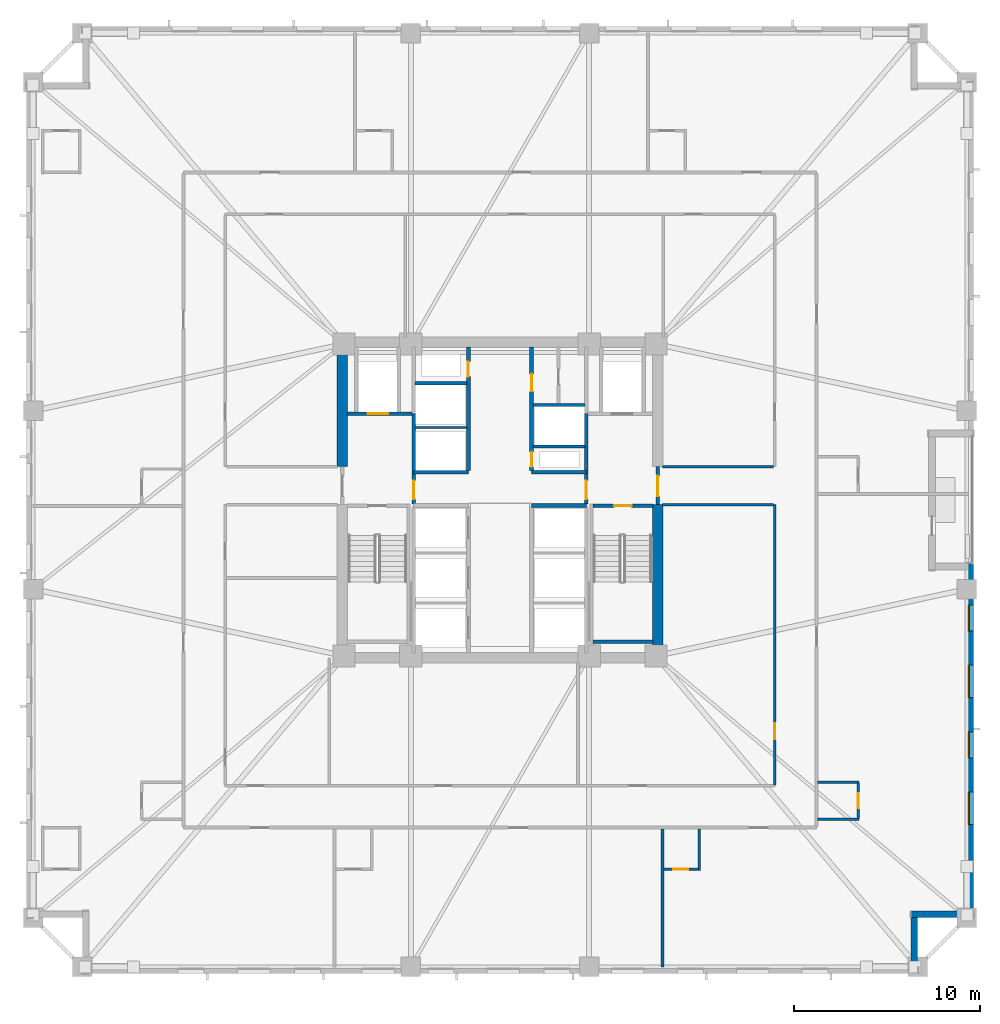
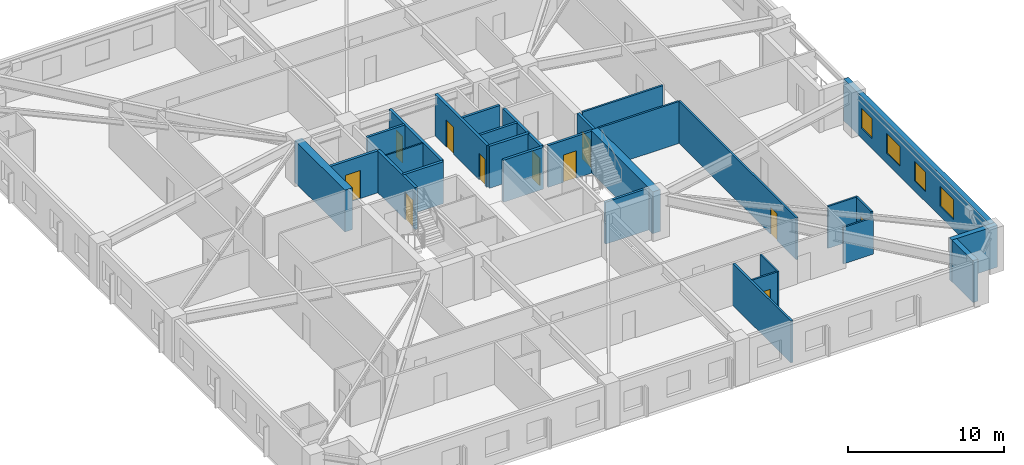
# One storey, part 4 of 11: 29 walls, 11 doors, 4 windows, 15 openings.
"""IFC4 building model written with IfcOpenShell, lengths in metres."""

from ifc_helpers import new_model, si_unit, direction, frame, frame_2d, origin, place, context, subcontext, project, spatial, rectangle, extrude, material, layer, layer_set, type_object, element, fill, save


model = new_model("IFC4")

# Units and contexts
model_context = context("Model", 3, precision=1e-05, world=origin(), true_north=direction((0.0, 1.0)))
body_context = subcontext(model_context, "Body", "Model", "MODEL_VIEW")
ifc_project = project(units=[si_unit("LENGTHUNIT", "METRE"), si_unit("AREAUNIT", "SQUARE_METRE"), si_unit("VOLUMEUNIT", "CUBIC_METRE"), si_unit("PLANEANGLEUNIT", "RADIAN"), si_unit("MASSUNIT", "GRAM", prefix="KILO")], contexts=[model_context])

# Site, building, storey
site_placement = place(None, origin())
site = spatial("IfcSite", under=ifc_project, at=site_placement, CompositionType="ELEMENT")
building_placement = place(site_placement, origin())
building = spatial("IfcBuilding", under=site, at=building_placement, Name="Cairnveth Concourse Tower", CompositionType="ELEMENT")
storey_placement = place(building_placement, frame((0.0, 0.0, 69.0)))
storey = spatial("IfcBuildingStorey", under=building, at=storey_placement, Name="L18", CompositionType="ELEMENT", Elevation=69.0)

# Walls
ifc_material_1 = material(Name="Gypsum Plasterboard Partition", Category="gypsum")
ifc_layer_1 = layer(ifc_material_1, 0.159912109375)
ifc_layer_set_1 = layer_set([ifc_layer_1], Name="Gypsum Plasterboard Partition")
wall_type_1 = type_object("IfcWallType", Name="ACOUSTIC PARTY WALL 180", PredefinedType="PARTITIONING", material=ifc_layer_set_1)
wall_1_placement = place(storey_placement, frame((60.742431640625, 13.844970703125, 0.0), z_axis=(0.0, 0.0, 1.0), x_axis=(0.0, 1.0, 0.0)))
element("IfcWall", 1, at=wall_1_placement, inside=storey, type_object=wall_type_1, Name="Interior Wall IW-L18-064", PredefinedType="PARTITIONING", context=body_context, shape_type="SweptSolid", body=[
    extrude(rectangle(XDim=7.43994140625, YDim=0.159912109375, at=frame_2d((3.719970703125, 0.0))), origin(), (0.0, 0.0, 1.0), 3.280029296875),
])
ifc_material_2 = material(Name="Concrete N80 (80 MPa)", Category="concrete")
ifc_layer_2 = layer(ifc_material_2, 0.550048828125)
ifc_layer_set_2 = layer_set([ifc_layer_2], Name="Concrete N80 (80 MPa)")
wall_type_2 = type_object("IfcWallType", Name="CORE SHEAR WALL 550", PredefinedType="SHEAR", material=ifc_layer_set_2)
wall_2_placement = place(storey_placement, frame((43.5, 40.800048828125, 0.0), z_axis=(0.0, 0.0, 1.0), x_axis=(0.0, 1.0, 0.0)))
element("IfcWall", 2, at=wall_2_placement, inside=storey, type_object=wall_type_2, Name="Core West Shear Wall N L18", PredefinedType="SHEAR", context=body_context, shape_type="SweptSolid", body=[
    extrude(rectangle(XDim=6.43505859375, YDim=0.550048828125, at=frame_2d((3.217529296875, 0.0))), origin(), (0.0, 0.0, 1.0), 3.280029296875),
])
wall_3_placement = place(storey_placement, frame((60.5, 30.764892578125, 0.0), z_axis=(0.0, 0.0, 1.0), x_axis=(0.0, 1.0, 0.0)))
element("IfcWall", 3, at=wall_3_placement, inside=storey, type_object=wall_type_2, Name="Core East Shear Wall S L18", PredefinedType="SHEAR", context=body_context, shape_type="SweptSolid", body=[
    extrude(rectangle(XDim=7.985107421875, YDim=0.550048828125, at=frame_2d((3.99267578125, 0.0))), origin(), (0.0, 0.0, 1.0), 3.280029296875),
])
ifc_material_3 = material(Name="Concrete N50 (50 MPa)", Category="concrete")
ifc_layer_3 = layer(ifc_material_3, 0.179931640625)
ifc_layer_set_3 = layer_set([ifc_layer_3], Name="Concrete N50 (50 MPa)")
wall_type_3 = type_object("IfcWallType", Name="FIRE SHAFT WALL 180", PredefinedType="SOLIDWALL", material=ifc_layer_set_3)
wall_4_placement = place(storey_placement, frame((47.425048828125, 45.280029296875, 0.0), z_axis=(0.0, 0.0, 1.0), x_axis=(1.0, 0.0, 0.0)))
element("IfcWall", 4, at=wall_4_placement, inside=storey, type_object=wall_type_3, Name="Interior Wall IW-L18-033", PredefinedType="SOLIDWALL", context=body_context, shape_type="SweptSolid", body=[
    extrude(rectangle(XDim=2.7900390625, YDim=0.179931640625, at=frame_2d((1.39501953125, 0.0))), origin(), (0.0, 0.0, 1.0), 3.280029296875),
])
wall_5_placement = place(storey_placement, frame((53.784912109375, 41.8798828125, 0.0), z_axis=(0.0, 0.0, 1.0), x_axis=(1.0, 0.0, 0.0)))
element("IfcWall", 5, at=wall_5_placement, inside=storey, type_object=wall_type_3, Name="Interior Wall IW-L18-035", PredefinedType="SOLIDWALL", context=body_context, shape_type="SweptSolid", body=[
    extrude(rectangle(XDim=2.780029296875, YDim=0.179931640625, at=frame_2d((1.39013671875, 0.0))), origin(), (0.0, 0.0, 1.0), 3.280029296875),
])
wall_6_placement = place(storey_placement, frame((53.784912109375, 44.1201171875, 0.0), z_axis=(0.0, 0.0, 1.0), x_axis=(1.0, 0.0, 0.0)))
element("IfcWall", 6, at=wall_6_placement, inside=storey, type_object=wall_type_3, Name="Interior Wall IW-L18-036", PredefinedType="SOLIDWALL", context=body_context, shape_type="SweptSolid", body=[
    extrude(rectangle(XDim=2.7900390625, YDim=0.179931640625, at=frame_2d((1.39501953125, 0.0))), origin(), (0.0, 0.0, 1.0), 3.280029296875),
])

# Wall, opening, door
wall_7_placement = place(storey_placement, frame((57.0048828125, 38.68994140625, 0.0), z_axis=(0.0, 0.0, 1.0), x_axis=(1.0, 0.0, 0.0)))
wall_7 = element("IfcWall", 7, at=wall_7_placement, inside=storey, type_object=wall_type_3, Name="Stair ST-2 Shaft Wall NEAR L18", PredefinedType="SOLIDWALL", context=body_context, shape_type="SweptSolid", body=[
    extrude(rectangle(XDim=3.230224609375, YDim=0.179931640625, at=frame_2d((1.615234375, 0.0))), origin(), (0.0, 0.0, 1.0), 3.280029296875),
])
opening_1_placement = place(wall_7_placement, frame((1.139892578125, 0.0, 0.0)))
opening_1 = element("IfcOpeningElement", 8, at=opening_1_placement, cuts=wall_7, Name="Opening ID12", PredefinedType="OPENING", context=body_context, shape_type="SweptSolid", body=[
    extrude(rectangle(XDim=0.949951171875, YDim=2.14990234375, at=frame_2d((0.47509765625, 1.074951171875))), frame((0.0, 0.099853515625, 0.0), z_axis=(0.0, -1.0, 0.0), x_axis=(1.0, 0.0, 0.0)), (0.0, 0.0, 1.0), 0.199951171875),
])
ifc_material_4 = material(Name="Steel Grade 350", Category="steel")
door_type_1 = type_object("IfcDoorType", Name="FIRE STAIR DOOR 950X2150", OperationType="NOTDEFINED", PredefinedType="DOOR", material=ifc_material_4)
door_1_placement = place(opening_1_placement, origin())
door_1 = element("IfcDoor", 9, at=door_1_placement, inside=storey, type_object=door_type_1, Name="Stair ST-2 Fire Door L18", OperationType="SINGLE_SWING_RIGHT", OverallHeight=2.14990234375, OverallWidth=0.949951171875, PredefinedType="DOOR", context=body_context, shape_type="SweptSolid", body=[
    extrude(rectangle(XDim=0.949951171875, YDim=2.14990234375, at=frame_2d((0.47509765625, 1.074951171875))), frame((0.0, 0.02490234375, 0.0), z_axis=(0.0, -1.0, 0.0), x_axis=(1.0, 0.0, 0.0)), (0.0, 0.0, 1.0), 0.050048828125),
])
fill(opening_1, door_1)

# Walls
wall_8_placement = place(storey_placement, frame((57.0048828125, 31.360107421875, 0.0), z_axis=(0.0, 0.0, 1.0), x_axis=(1.0, 0.0, 0.0)))
element("IfcWall", 10, at=wall_8_placement, inside=storey, type_object=wall_type_3, Name="Stair ST-2 Shaft Wall FAR L18", PredefinedType="SOLIDWALL", context=body_context, shape_type="SweptSolid", body=[
    extrude(rectangle(XDim=3.230224609375, YDim=0.179931640625, at=frame_2d((1.615234375, 0.0))), origin(), (0.0, 0.0, 1.0), 3.280029296875),
])
ifc_layer_4 = layer(ifc_material_3, 0.199951171875)
ifc_layer_set_4 = layer_set([ifc_layer_4], Name="Concrete N50 (50 MPa)")
wall_type_4 = type_object("IfcWallType", Name="FIRE SHAFT WALL 200", PredefinedType="SOLIDWALL", material=ifc_layer_set_4)
for number, where, z_axis, x_axis, name in (
    (11, (47.35009765625, 40.5, 0.0), (0.0, 0.0, 1.0), (1.0, 0.0, 0.0), "Interior Wall IW-L18-008"),
    (12, (53.699951171875, 38.699951171875, 0.0), (0.0, 0.0, 1.0), (1.0, 0.0, 0.0), "Interior Wall IW-L18-009"),
    (13, (53.699951171875, 40.5, 0.0), (0.0, 0.0, 1.0), (1.0, 0.0, 0.0), "Interior Wall IW-L18-010"),
):
    element("IfcWall", number, at=place(storey_placement, frame(where, z_axis=z_axis, x_axis=x_axis)), inside=storey, type_object=wall_type_4, Name=name, PredefinedType="SOLIDWALL", context=body_context, shape_type="SweptSolid", body=[
        extrude(rectangle(XDim=2.949951171875, YDim=0.199951171875, at=frame_2d((1.47509765625, 0.0))), origin(), (0.0, 0.0, 1.0), 3.280029296875),
    ])

# Wall, opening, door
wall_9_placement = place(storey_placement, frame((50.300048828125, 40.5849609375, 0.0), z_axis=(0.0, 0.0, 1.0), x_axis=(0.0, 1.0, 0.0)))
wall_9 = element("IfcWall", 14, at=wall_9_placement, inside=storey, type_object=wall_type_4, Name="Interior Wall IW-L18-013", PredefinedType="SOLIDWALL", context=body_context, shape_type="SweptSolid", body=[
    extrude(rectangle(XDim=6.655029296875, YDim=0.199951171875, at=frame_2d((3.32763671875, 0.0))), origin(), (0.0, 0.0, 1.0), 3.280029296875),
])
opening_2_placement = place(wall_9_placement, frame((5.06494140625, 0.0, 0.0)))
opening_2 = element("IfcOpeningElement", 15, at=opening_2_placement, cuts=wall_9, Name="Opening ID24", PredefinedType="OPENING", context=body_context, shape_type="SweptSolid", body=[
    extrude(rectangle(XDim=0.800048828125, YDim=2.080078125, at=frame_2d((0.39990234375, 1.0400390625))), frame((0.0, 0.10986328125, 0.0), z_axis=(0.0, -1.0, 0.0), x_axis=(1.0, 0.0, 0.0)), (0.0, 0.0, 1.0), 0.219970703125),
])
door_type_2 = type_object("IfcDoorType", Name="RISER ACCESS DOOR 800X2100", OperationType="NOTDEFINED", PredefinedType="DOOR", material=ifc_material_4)
door_2_placement = place(opening_2_placement, origin())
door_2 = element("IfcDoor", 16, at=door_2_placement, inside=storey, type_object=door_type_2, Name="NW Electrical Riser Access Door L18", OperationType="SINGLE_SWING_RIGHT", OverallHeight=2.080078125, OverallWidth=0.800048828125, PredefinedType="DOOR", context=body_context, shape_type="SweptSolid", body=[
    extrude(rectangle(XDim=0.800048828125, YDim=2.080078125, at=frame_2d((0.39990234375, 1.0400390625))), frame((0.0, 0.02490234375, 0.0), z_axis=(0.0, -1.0, 0.0), x_axis=(1.0, 0.0, 0.0)), (0.0, 0.0, 1.0), 0.050048828125),
])
fill(opening_2, door_2)

# Wall, openings, doors
wall_10_placement = place(storey_placement, frame((53.699951171875, 40.5849609375, 0.0), z_axis=(0.0, 0.0, 1.0), x_axis=(0.0, 1.0, 0.0)))
wall_10 = element("IfcWall", 17, at=wall_10_placement, inside=storey, type_object=wall_type_4, Name="Interior Wall IW-L18-014", PredefinedType="SOLIDWALL", context=body_context, shape_type="SweptSolid", body=[
    extrude(rectangle(XDim=6.655029296875, YDim=0.199951171875, at=frame_2d((3.32763671875, 0.0))), origin(), (0.0, 0.0, 1.0), 3.280029296875),
])
opening_3_placement = place(wall_10_placement, frame((0.195068359375, 0.0, 0.0)))
opening_3 = element("IfcOpeningElement", 18, at=opening_3_placement, cuts=wall_10, Name="Opening ID24", PredefinedType="OPENING", context=body_context, shape_type="SweptSolid", body=[
    extrude(rectangle(XDim=0.800048828125, YDim=2.080078125, at=frame_2d((0.39990234375, 1.0400390625))), frame((0.0, 0.10986328125, 0.0), z_axis=(0.0, -1.0, 0.0), x_axis=(1.0, 0.0, 0.0)), (0.0, 0.0, 1.0), 0.219970703125),
])
opening_4_placement = place(wall_10_placement, frame((4.264892578125, 0.0, 0.0)))
opening_4 = element("IfcOpeningElement", 19, at=opening_4_placement, cuts=wall_10, Name="Opening ID25", PredefinedType="OPENING", context=body_context, shape_type="SweptSolid", body=[
    extrude(rectangle(XDim=0.949951171875, YDim=2.1201171875, at=frame_2d((0.47509765625, 1.06005859375))), frame((0.0, 0.10986328125, 0.0), z_axis=(0.0, -1.0, 0.0), x_axis=(1.0, 0.0, 0.0)), (0.0, 0.0, 1.0), 0.219970703125),
])
door_type_3 = type_object("IfcDoorType", Name="CORE ACCESSIBLE FIRE DOOR 950X2120", OperationType="NOTDEFINED", PredefinedType="DOOR", material=ifc_material_4)
door_3_placement = place(opening_4_placement, origin())
door_3 = element("IfcDoor", 20, at=door_3_placement, inside=storey, type_object=door_type_3, Name="Core NE Restroom Door L18", OperationType="SINGLE_SWING_RIGHT", OverallHeight=2.1201171875, OverallWidth=0.949951171875, PredefinedType="DOOR", context=body_context, shape_type="SweptSolid", body=[
    extrude(rectangle(XDim=0.949951171875, YDim=2.1201171875, at=frame_2d((0.47509765625, 1.06005859375))), frame((0.0, 0.02490234375, 0.0), z_axis=(0.0, -1.0, 0.0), x_axis=(1.0, 0.0, 0.0)), (0.0, 0.0, 1.0), 0.050048828125),
])
fill(opening_4, door_3)
door_4_placement = place(opening_3_placement, origin())
door_4 = element("IfcDoor", 21, at=door_4_placement, inside=storey, type_object=door_type_2, Name="Hydraulic Riser Door L18", OperationType="SINGLE_SWING_LEFT", OverallHeight=2.080078125, OverallWidth=0.800048828125, PredefinedType="DOOR", context=body_context, shape_type="SweptSolid", body=[
    extrude(rectangle(XDim=0.800048828125, YDim=2.080078125, at=frame_2d((0.39990234375, 1.0400390625))), frame((0.0, 0.02490234375, 0.0), z_axis=(0.0, -1.0, 0.0), x_axis=(1.0, 0.0, 0.0)), (0.0, 0.0, 1.0), 0.050048828125),
])
fill(opening_3, door_4)

# Wall, opening, door
wall_11_placement = place(storey_placement, frame((47.35009765625, 38.784912109375, 0.0), z_axis=(0.0, 0.0, 1.0), x_axis=(0.0, 1.0, 0.0)))
wall_11 = element("IfcWall", 22, at=wall_11_placement, inside=storey, type_object=wall_type_4, Name="Interior Wall IW-L18-016", PredefinedType="SOLIDWALL", context=body_context, shape_type="SweptSolid", body=[
    extrude(rectangle(XDim=4.864990234375, YDim=0.199951171875, at=frame_2d((2.4326171875, 0.0))), origin(), (0.0, 0.0, 1.0), 3.280029296875),
])
opening_5_placement = place(wall_11_placement, frame((0.264892578125, 0.0, 0.0)))
opening_5 = element("IfcOpeningElement", 23, at=opening_5_placement, cuts=wall_11, Name="Opening ID07", PredefinedType="OPENING", context=body_context, shape_type="SweptSolid", body=[
    extrude(rectangle(XDim=1.0, YDim=2.14990234375, at=frame_2d((0.5, 1.074951171875))), frame((0.0, 0.10986328125, 0.0), z_axis=(0.0, -1.0, 0.0), x_axis=(1.0, 0.0, 0.0)), (0.0, 0.0, 1.0), 0.219970703125),
])
door_type_4 = type_object("IfcDoorType", Name="FIRE CORRIDOR DOOR 1000X2150", OperationType="NOTDEFINED", PredefinedType="DOOR", material=ifc_material_4)
door_5_placement = place(opening_5_placement, origin())
door_5 = element("IfcDoor", 24, at=door_5_placement, inside=storey, type_object=door_type_4, Name="FF Lobby West to Lift Lobby Door L18", OperationType="SINGLE_SWING_RIGHT", OverallHeight=2.14990234375, OverallWidth=1.0, PredefinedType="DOOR", context=body_context, shape_type="SweptSolid", body=[
    extrude(rectangle(XDim=1.0, YDim=2.14990234375, at=frame_2d((0.5, 1.074951171875))), frame((0.0, 0.02490234375, 0.0), z_axis=(0.0, -1.0, 0.0), x_axis=(1.0, 0.0, 0.0)), (0.0, 0.0, 1.0), 0.050048828125),
])
fill(opening_5, door_5)

wall_12_placement = place(storey_placement, frame((43.760009765625, 43.64990234375, 0.0), z_axis=(0.0, 0.0, 1.0), x_axis=(1.0, 0.0, 0.0)))
wall_12 = element("IfcWall", 25, at=wall_12_placement, inside=storey, type_object=wall_type_4, Name="Interior Wall IW-L18-017", PredefinedType="SOLIDWALL", context=body_context, shape_type="SweptSolid", body=[
    extrude(rectangle(XDim=3.5048828125, YDim=0.199951171875, at=frame_2d((1.75244140625, 0.0))), origin(), (0.0, 0.0, 1.0), 3.280029296875),
])
opening_6_placement = place(wall_12_placement, frame((1.110107421875, 0.0, 0.0)))
opening_6 = element("IfcOpeningElement", 26, at=opening_6_placement, cuts=wall_12, Name="Opening LD-1", PredefinedType="OPENING", context=body_context, shape_type="SweptSolid", body=[
    extrude(rectangle(XDim=1.10009765625, YDim=2.199951171875, at=frame_2d((0.550048828125, 1.10009765625))), frame((0.0, 0.10986328125, 0.0), z_axis=(0.0, -1.0, 0.0), x_axis=(1.0, 0.0, 0.0)), (0.0, 0.0, 1.0), 0.219970703125),
])
ifc_material_5 = material(Name="Architectural Bronze Anodised Aluminium 6063-T6", Category="aluminium")
door_type_5 = type_object("IfcDoorType", Name="LIFT LANDING DOOR 1100X2200", OperationType="SLIDING_TO_LEFT", PredefinedType="DOOR", material=ifc_material_5)
door_6_placement = place(opening_6_placement, origin())
door_6 = element("IfcDoor", 27, at=door_6_placement, inside=storey, type_object=door_type_5, Name="Lift FFL1 Landing Door L18", OperationType="SLIDING_TO_LEFT", OverallHeight=2.199951171875, OverallWidth=1.10009765625, PredefinedType="DOOR", context=body_context, shape_type="SweptSolid", body=[
    extrude(rectangle(XDim=1.10009765625, YDim=2.199951171875, at=frame_2d((0.550048828125, 1.10009765625))), frame((0.0, 0.02490234375, 0.0), z_axis=(0.0, -1.0, 0.0), x_axis=(1.0, 0.0, 0.0)), (0.0, 0.0, 1.0), 0.050048828125),
])
fill(opening_6, door_6)

wall_13_placement = place(storey_placement, frame((60.5, 38.75, 0.0), z_axis=(0.0, 0.0, 1.0), x_axis=(0.0, 1.0, 0.0)))
wall_13 = element("IfcWall", 28, at=wall_13_placement, inside=storey, type_object=wall_type_4, Name="Interior Wall IW-L18-020", PredefinedType="SOLIDWALL", context=body_context, shape_type="SweptSolid", body=[
    extrude(rectangle(XDim=2.050048828125, YDim=0.199951171875, at=frame_2d((1.02490234375, 0.0))), origin(), (0.0, 0.0, 1.0), 3.280029296875),
])
opening_7_placement = place(wall_13_placement, frame((0.449951171875, 0.0, 0.0)))
opening_7 = element("IfcOpeningElement", 29, at=opening_7_placement, cuts=wall_13, Name="Opening ID06", PredefinedType="OPENING", context=body_context, shape_type="SweptSolid", body=[
    extrude(rectangle(XDim=1.10009765625, YDim=2.14990234375, at=frame_2d((0.550048828125, 1.074951171875))), frame((0.0, 0.10986328125, 0.0), z_axis=(0.0, -1.0, 0.0), x_axis=(1.0, 0.0, 0.0)), (0.0, 0.0, 1.0), 0.219970703125),
])
door_type_6 = type_object("IfcDoorType", Name="FIRE CORRIDOR DOOR 1100X2150", OperationType="NOTDEFINED", PredefinedType="DOOR", material=ifc_material_4)
door_7_placement = place(opening_7_placement, origin())
door_7 = element("IfcDoor", 30, at=door_7_placement, inside=storey, type_object=door_type_6, Name="East Wing to FF Lobby Door L18", OperationType="SINGLE_SWING_RIGHT", OverallHeight=2.14990234375, OverallWidth=1.10009765625, PredefinedType="DOOR", context=body_context, shape_type="SweptSolid", body=[
    extrude(rectangle(XDim=1.10009765625, YDim=2.14990234375, at=frame_2d((0.550048828125, 1.074951171875))), frame((0.0, 0.02490234375, 0.0), z_axis=(0.0, -1.0, 0.0), x_axis=(1.0, 0.0, 0.0)), (0.0, 0.0, 1.0), 0.050048828125),
])
fill(opening_7, door_7)

wall_14_placement = place(storey_placement, frame((56.64990234375, 38.784912109375, 0.0), z_axis=(0.0, 0.0, 1.0), x_axis=(0.0, 1.0, 0.0)))
wall_14 = element("IfcWall", 31, at=wall_14_placement, inside=storey, type_object=wall_type_4, Name="Interior Wall IW-L18-021", PredefinedType="SOLIDWALL", context=body_context, shape_type="SweptSolid", body=[
    extrude(rectangle(XDim=4.864990234375, YDim=0.199951171875, at=frame_2d((2.4326171875, 0.0))), origin(), (0.0, 0.0, 1.0), 3.280029296875),
])
opening_8_placement = place(wall_14_placement, frame((0.264892578125, 0.0, 0.0)))
opening_8 = element("IfcOpeningElement", 32, at=opening_8_placement, cuts=wall_14, Name="Opening ID07", PredefinedType="OPENING", context=body_context, shape_type="SweptSolid", body=[
    extrude(rectangle(XDim=1.0, YDim=2.14990234375, at=frame_2d((0.5, 1.074951171875))), frame((0.0, 0.10986328125, 0.0), z_axis=(0.0, -1.0, 0.0), x_axis=(1.0, 0.0, 0.0)), (0.0, 0.0, 1.0), 0.219970703125),
])
door_8_placement = place(opening_8_placement, origin())
door_8 = element("IfcDoor", 33, at=door_8_placement, inside=storey, type_object=door_type_4, Name="FF Lobby East to Lift Lobby Door L18", OperationType="SINGLE_SWING_LEFT", OverallHeight=2.14990234375, OverallWidth=1.0, PredefinedType="DOOR", context=body_context, shape_type="SweptSolid", body=[
    extrude(rectangle(XDim=1.0, YDim=2.14990234375, at=frame_2d((0.5, 1.074951171875))), frame((0.0, 0.02490234375, 0.0), z_axis=(0.0, -1.0, 0.0), x_axis=(1.0, 0.0, 0.0)), (0.0, 0.0, 1.0), 0.050048828125),
])
fill(opening_8, door_8)

ifc_layer_5 = layer(ifc_material_1, 0.139892578125)
ifc_layer_set_5 = layer_set([ifc_layer_5], Name="Gypsum Plasterboard Partition")
wall_type_5 = type_object("IfcWallType", Name="GYPSUM STUD PARTITION 140", PredefinedType="PARTITIONING", material=ifc_layer_set_5)
wall_15_placement = place(storey_placement, frame((66.800048828125, 23.655029296875, 0.0), z_axis=(0.0, 0.0, 1.0), x_axis=(0.0, 1.0, 0.0)))
wall_15 = element("IfcWall", 34, at=wall_15_placement, inside=storey, type_object=wall_type_5, Name="Interior Wall IW-L18-048", PredefinedType="PARTITIONING", context=body_context, shape_type="SweptSolid", body=[
    extrude(rectangle(XDim=15.094970703125, YDim=0.139892578125, at=frame_2d((7.54736328125, 0.0))), origin(), (0.0, 0.0, 1.0), 3.280029296875),
])
opening_9_placement = place(wall_15_placement, frame((2.445068359375, 0.0, 0.0)))
opening_9 = element("IfcOpeningElement", 35, at=opening_9_placement, cuts=wall_15, Name="Opening ID18", PredefinedType="OPENING", context=body_context, shape_type="SweptSolid", body=[
    extrude(rectangle(XDim=0.8798828125, YDim=2.10009765625, at=frame_2d((0.43994140625, 1.050048828125))), frame((0.0, 0.079833984375, 0.0), z_axis=(0.0, -1.0, 0.0), x_axis=(1.0, 0.0, 0.0)), (0.0, 0.0, 1.0), 0.159912109375),
])
ifc_material_6 = material(Name="Solid Core Hardwood Timber Leaf", Category="wood")
door_type_7 = type_object("IfcDoorType", Name="INTERIOR SINGLE DOOR 880X2100", OperationType="NOTDEFINED", PredefinedType="DOOR", material=ifc_material_6)
door_9_placement = place(opening_9_placement, origin())
door_9 = element("IfcDoor", 36, at=door_9_placement, inside=storey, type_object=door_type_7, Name="Interior Door DR-L18-023", OperationType="SINGLE_SWING_LEFT", OverallHeight=2.10009765625, OverallWidth=0.8798828125, PredefinedType="DOOR", context=body_context, shape_type="SweptSolid", body=[
    extrude(rectangle(XDim=0.8798828125, YDim=2.10009765625, at=frame_2d((0.43994140625, 1.050048828125))), frame((0.0, 0.02490234375, 0.0), z_axis=(0.0, -1.0, 0.0), x_axis=(1.0, 0.0, 0.0)), (0.0, 0.0, 1.0), 0.050048828125),
])
fill(opening_9, door_9)

# Walls
for number, where, z_axis, x_axis, name in (
    (37, (60.760009765625, 38.75, 0.0), (0.0, 0.0, 1.0), (1.0, 0.0, 0.0), "Interior Wall IW-L18-050"),
    (38, (60.760009765625, 40.800048828125, 0.0), (0.0, 0.0, 1.0), (1.0, 0.0, 0.0), "Interior Wall IW-L18-051"),
):
    element("IfcWall", number, at=place(storey_placement, frame(where, z_axis=z_axis, x_axis=x_axis)), inside=storey, type_object=wall_type_5, Name=name, PredefinedType="PARTITIONING", context=body_context, shape_type="SweptSolid", body=[
        extrude(rectangle(XDim=5.985107421875, YDim=0.139892578125, at=frame_2d((2.99267578125, 0.0))), origin(), (0.0, 0.0, 1.0), 3.280029296875),
    ])
ifc_layer_6 = layer(ifc_material_1, 0.110107421875)
ifc_layer_set_6 = layer_set([ifc_layer_6], Name="Gypsum Plasterboard Partition")
wall_type_6 = type_object("IfcWallType", Name="SHAFT DIVIDER WALL 140", PredefinedType="PARTITIONING", material=ifc_layer_set_6)
wall_16_placement = place(storey_placement, frame((47.43505859375, 42.89990234375, 0.0), z_axis=(0.0, 0.0, 1.0), x_axis=(1.0, 0.0, 0.0)))
element("IfcWall", 39, at=wall_16_placement, inside=storey, type_object=wall_type_6, Name="Interior Wall IW-L18-032", PredefinedType="PARTITIONING", context=body_context, shape_type="SweptSolid", body=[
    extrude(rectangle(XDim=2.780029296875, YDim=0.110107421875, at=frame_2d((1.39013671875, 0.0))), origin(), (0.0, 0.0, 1.0), 3.280029296875),
])
ifc_layer_7 = layer(ifc_material_1, 0.1298828125)
ifc_layer_set_7 = layer_set([ifc_layer_7], Name="Gypsum Plasterboard Partition")
wall_type_7 = type_object("IfcWallType", Name="WET AREA PARTITION 140", PredefinedType="PLUMBINGWALL", material=ifc_layer_set_7)
wall_17_placement = place(storey_placement, frame((62.742431640625, 19.050048828125, 0.0), z_axis=(0.0, 0.0, 1.0), x_axis=(0.0, 1.0, 0.0)))
element("IfcWall", 40, at=wall_17_placement, inside=storey, type_object=wall_type_7, Name="Interior Wall IW-L18-065", PredefinedType="PLUMBINGWALL", context=body_context, shape_type="SweptSolid", body=[
    extrude(rectangle(XDim=2.23486328125, YDim=0.1298828125, at=frame_2d((1.117431640625, 0.0))), origin(), (0.0, 0.0, 1.0), 3.280029296875),
])

# Wall, opening, door
wall_18_placement = place(storey_placement, frame((60.8076171875, 19.10009765625, 0.0), z_axis=(0.0, 0.0, 1.0), x_axis=(1.0, 0.0, 0.0)))
wall_18 = element("IfcWall", 41, at=wall_18_placement, inside=storey, type_object=wall_type_7, Name="Interior Wall IW-L18-066", PredefinedType="PLUMBINGWALL", context=body_context, shape_type="SweptSolid", body=[
    extrude(rectangle(XDim=1.884765625, YDim=0.1298828125, at=frame_2d((0.9423828125, 0.0))), origin(), (0.0, 0.0, 1.0), 3.280029296875),
])
opening_10_placement = place(wall_18_placement, frame((0.52490234375, 0.0, 0.0)))
opening_10 = element("IfcOpeningElement", 42, at=opening_10_placement, cuts=wall_18, Name="Opening ID22", PredefinedType="OPENING", context=body_context, shape_type="SweptSolid", body=[
    extrude(rectangle(XDim=0.820068359375, YDim=2.10009765625, at=frame_2d((0.41015625, 1.050048828125))), frame((0.0, 0.074951171875, 0.0), z_axis=(0.0, -1.0, 0.0), x_axis=(1.0, 0.0, 0.0)), (0.0, 0.0, 1.0), 0.14990234375),
])
door_type_8 = type_object("IfcDoorType", Name="INTERIOR WC DOOR 820X2100", OperationType="NOTDEFINED", PredefinedType="DOOR", material=ifc_material_6)
door_10_placement = place(opening_10_placement, origin())
door_10 = element("IfcDoor", 43, at=door_10_placement, inside=storey, type_object=door_type_8, Name="En-Suite Door L18-S3", OperationType="SINGLE_SWING_LEFT", OverallHeight=2.10009765625, OverallWidth=0.820068359375, PredefinedType="DOOR", context=body_context, shape_type="SweptSolid", body=[
    extrude(rectangle(XDim=0.820068359375, YDim=2.10009765625, at=frame_2d((0.41015625, 1.050048828125))), frame((0.0, 0.02490234375, 0.0), z_axis=(0.0, -1.0, 0.0), x_axis=(1.0, 0.0, 0.0)), (0.0, 0.0, 1.0), 0.050048828125),
])
fill(opening_10, door_10)

# Walls
wall_19_placement = place(storey_placement, frame((69.114990234375, 21.800048828125, 0.0), z_axis=(0.0, 0.0, 1.0), x_axis=(1.0, 0.0, 0.0)))
element("IfcWall", 44, at=wall_19_placement, inside=storey, type_object=wall_type_7, Name="Interior Wall IW-L18-083", PredefinedType="PLUMBINGWALL", context=body_context, shape_type="SweptSolid", body=[
    extrude(rectangle(XDim=2.235107421875, YDim=0.1298828125, at=frame_2d((1.11767578125, 0.0))), origin(), (0.0, 0.0, 1.0), 2.84912109375),
])
wall_20_placement = place(storey_placement, frame((69.114990234375, 23.800048828125, 0.0), z_axis=(0.0, 0.0, 1.0), x_axis=(1.0, 0.0, 0.0)))
element("IfcWall", 45, at=wall_20_placement, inside=storey, type_object=wall_type_7, Name="Interior Wall IW-L18-084", PredefinedType="PLUMBINGWALL", context=body_context, shape_type="SweptSolid", body=[
    extrude(rectangle(XDim=2.235107421875, YDim=0.1298828125, at=frame_2d((1.11767578125, 0.0))), origin(), (0.0, 0.0, 1.0), 3.280029296875),
])

# Wall, opening, door
wall_21_placement = place(storey_placement, frame((71.300048828125, 21.85009765625, 0.0), z_axis=(0.0, 0.0, 1.0), x_axis=(0.0, 1.0, 0.0)))
wall_21 = element("IfcWall", 46, at=wall_21_placement, inside=storey, type_object=wall_type_7, Name="Interior Wall IW-L18-085", PredefinedType="PLUMBINGWALL", context=body_context, shape_type="SweptSolid", body=[
    extrude(rectangle(XDim=1.89990234375, YDim=0.1298828125, at=frame_2d((0.949951171875, 0.0))), origin(), (0.0, 0.0, 1.0), 3.280029296875),
])
opening_11_placement = place(wall_21_placement, frame((0.5400390625, 0.0, 0.0)))
opening_11 = element("IfcOpeningElement", 47, at=opening_11_placement, cuts=wall_21, Name="Opening ID22", PredefinedType="OPENING", context=body_context, shape_type="SweptSolid", body=[
    extrude(rectangle(XDim=0.820068359375, YDim=2.10009765625, at=frame_2d((0.41015625, 1.050048828125))), frame((0.0, 0.074951171875, 0.0), z_axis=(0.0, -1.0, 0.0), x_axis=(1.0, 0.0, 0.0)), (0.0, 0.0, 1.0), 0.14990234375),
])
door_11_placement = place(opening_11_placement, origin())
door_11 = element("IfcDoor", 48, at=door_11_placement, inside=storey, type_object=door_type_8, Name="En-Suite Door L18-E1", OperationType="SINGLE_SWING_LEFT", OverallHeight=2.10009765625, OverallWidth=0.820068359375, PredefinedType="DOOR", context=body_context, shape_type="SweptSolid", body=[
    extrude(rectangle(XDim=0.820068359375, YDim=2.10009765625, at=frame_2d((0.41015625, 1.050048828125))), frame((0.0, 0.02490234375, 0.0), z_axis=(0.0, -1.0, 0.0), x_axis=(1.0, 0.0, 0.0)), (0.0, 0.0, 1.0), 0.050048828125),
])
fill(opening_11, door_11)

# Wall, openings, windows
ifc_material_7 = material(Name="Hawthorn Red-Ochre Fired Clay Brick Masonry", Category="masonry")
ifc_layer_8 = layer(ifc_material_7, 0.360107421875)
ifc_layer_set_8 = layer_set([ifc_layer_8], Name="Hawthorn Red-Ochre Fired Clay Brick Masonry")
wall_type_8 = type_object("IfcWallType", Name="ZONE 1 BRICK PIER SPANDREL WALL 360", PredefinedType="SOLIDWALL", material=ifc_layer_set_8)
wall_22_placement = place(storey_placement, frame((77.320068359375, 35.60009765625, 0.0), z_axis=(0.0, 0.0, 1.0), x_axis=(0.0, -1.0, 0.0)))
wall_22 = element("IfcWall", 49, at=wall_22_placement, inside=storey, type_object=wall_type_8, Name="Exterior Wall EW-L18-S00", PredefinedType="SOLIDWALL", context=body_context, shape_type="SweptSolid", body=[
    extrude(rectangle(XDim=18.76220703125, YDim=0.360107421875, at=frame_2d((9.381103515625, 0.0))), origin(), (0.0, 0.0, 1.0), 3.280029296875),
])
opening_12_placement = place(wall_22_placement, frame((2.2578125, 0.0, 0.800048828125)))
opening_12 = element("IfcOpeningElement", 50, at=opening_12_placement, cuts=wall_22, Name="Opening W05", PredefinedType="OPENING", context=body_context, shape_type="SweptSolid", body=[
    extrude(rectangle(XDim=1.39990234375, YDim=1.5439453125, at=frame_2d((0.699951171875, 0.77197265625))), frame((0.0, 0.18994140625, 0.0), z_axis=(0.0, -1.0, 0.0), x_axis=(1.0, 0.0, 0.0)), (0.0, 0.0, 1.0), 0.380126953125),
])
opening_13_placement = place(wall_22_placement, frame((5.498291015625, 0.0, 0.800048828125)))
opening_13 = element("IfcOpeningElement", 51, at=opening_13_placement, cuts=wall_22, Name="Opening W06", PredefinedType="OPENING", context=body_context, shape_type="SweptSolid", body=[
    extrude(rectangle(XDim=1.75, YDim=1.5439453125, at=frame_2d((0.875, 0.77197265625))), frame((0.0, 0.18994140625, 0.0), z_axis=(0.0, -1.0, 0.0), x_axis=(1.0, 0.0, 0.0)), (0.0, 0.0, 1.0), 0.380126953125),
])
opening_14_placement = place(wall_22_placement, frame((9.0888671875, 0.0, 0.800048828125)))
opening_14 = element("IfcOpeningElement", 52, at=opening_14_placement, cuts=wall_22, Name="Opening W05", PredefinedType="OPENING", context=body_context, shape_type="SweptSolid", body=[
    extrude(rectangle(XDim=1.39990234375, YDim=1.5439453125, at=frame_2d((0.699951171875, 0.77197265625))), frame((0.0, 0.18994140625, 0.0), z_axis=(0.0, -1.0, 0.0), x_axis=(1.0, 0.0, 0.0)), (0.0, 0.0, 1.0), 0.380126953125),
])
opening_15_placement = place(wall_22_placement, frame((12.329345703125, 0.0, 0.800048828125)))
opening_15 = element("IfcOpeningElement", 53, at=opening_15_placement, cuts=wall_22, Name="Opening W06", PredefinedType="OPENING", context=body_context, shape_type="SweptSolid", body=[
    extrude(rectangle(XDim=1.75, YDim=1.5439453125, at=frame_2d((0.875, 0.77197265625))), frame((0.0, 0.18994140625, 0.0), z_axis=(0.0, -1.0, 0.0), x_axis=(1.0, 0.0, 0.0)), (0.0, 0.0, 1.0), 0.380126953125),
])
ifc_material_8 = material(Name="Double Glazed Low-E Clear Glass", Category="glass")
window_type_1 = type_object("IfcWindowType", Name="DEEP-SET HOTEL CASEMENT WINDOW 1400X1750", PartitioningType="DOUBLE_PANEL_VERTICAL", PredefinedType="WINDOW", material=ifc_material_8)
window_1_placement = place(opening_12_placement, origin())
window_1 = element("IfcWindow", 54, at=window_1_placement, inside=storey, type_object=window_type_1, Name="Gothic Lancet Window L18-0-1", OverallHeight=1.5439453125, OverallWidth=1.39990234375, PartitioningType="SINGLE_PANEL", PredefinedType="WINDOW", context=body_context, shape_type="SweptSolid", body=[
    extrude(rectangle(XDim=1.39990234375, YDim=1.5439453125, at=frame_2d((0.699951171875, 0.77197265625))), frame((0.0, -0.050048828125, 0.0), z_axis=(0.0, -1.0, 0.0), x_axis=(1.0, 0.0, 0.0)), (0.0, 0.0, 1.0), 0.06005859375),
])
fill(opening_12, window_1)
window_2_placement = place(opening_14_placement, origin())
window_2 = element("IfcWindow", 55, at=window_2_placement, inside=storey, type_object=window_type_1, Name="Gothic Lancet Window L18-0-3", OverallHeight=1.5439453125, OverallWidth=1.39990234375, PartitioningType="SINGLE_PANEL", PredefinedType="WINDOW", context=body_context, shape_type="SweptSolid", body=[
    extrude(rectangle(XDim=1.39990234375, YDim=1.5439453125, at=frame_2d((0.699951171875, 0.77197265625))), frame((0.0, -0.050048828125, 0.0), z_axis=(0.0, -1.0, 0.0), x_axis=(1.0, 0.0, 0.0)), (0.0, 0.0, 1.0), 0.06005859375),
])
fill(opening_14, window_2)
window_type_2 = type_object("IfcWindowType", Name="DEEP-SET HOTEL SUITE WINDOW 1750X1800", PartitioningType="DOUBLE_PANEL_VERTICAL", PredefinedType="WINDOW", material=ifc_material_8)
window_3_placement = place(opening_13_placement, origin())
window_3 = element("IfcWindow", 56, at=window_3_placement, inside=storey, type_object=window_type_2, Name="Gothic Lancet Window L18-0-2", OverallHeight=1.5439453125, OverallWidth=1.75, PartitioningType="SINGLE_PANEL", PredefinedType="WINDOW", context=body_context, shape_type="SweptSolid", body=[
    extrude(rectangle(XDim=1.75, YDim=1.5439453125, at=frame_2d((0.875, 0.77197265625))), frame((0.0, -0.050048828125, 0.0), z_axis=(0.0, -1.0, 0.0), x_axis=(1.0, 0.0, 0.0)), (0.0, 0.0, 1.0), 0.06005859375),
])
fill(opening_13, window_3)
window_4_placement = place(opening_15_placement, origin())
window_4 = element("IfcWindow", 57, at=window_4_placement, inside=storey, type_object=window_type_2, Name="Gothic Lancet Window L18-0-4", OverallHeight=1.5439453125, OverallWidth=1.75, PartitioningType="SINGLE_PANEL", PredefinedType="WINDOW", context=body_context, shape_type="SweptSolid", body=[
    extrude(rectangle(XDim=1.75, YDim=1.5439453125, at=frame_2d((0.875, 0.77197265625))), frame((0.0, -0.050048828125, 0.0), z_axis=(0.0, -1.0, 0.0), x_axis=(1.0, 0.0, 0.0)), (0.0, 0.0, 1.0), 0.06005859375),
])
fill(opening_15, window_4)

# Walls
wall_23_placement = place(storey_placement, frame((77.5, 16.679931640625, 0.0), z_axis=(0.0, 0.0, 1.0), x_axis=(-1.0, 0.0, 0.0)))
element("IfcWall", 58, at=wall_23_placement, inside=storey, type_object=wall_type_8, Name="Exterior Wall EW-L18-S01", PredefinedType="SOLIDWALL", context=body_context, shape_type="SweptSolid", body=[
    extrude(rectangle(XDim=3.360107421875, YDim=0.360107421875, at=frame_2d((1.68017578125, 0.0))), origin(), (0.0, 0.0, 1.0), 3.280029296875),
])
wall_24_placement = place(storey_placement, frame((74.320068359375, 16.52197265625, 0.0), z_axis=(0.0, 0.0, 1.0), x_axis=(0.0, -1.0, 0.0)))
element("IfcWall", 59, at=wall_24_placement, inside=storey, type_object=wall_type_8, Name="Exterior Wall EW-L18-S02", PredefinedType="SOLIDWALL", context=body_context, shape_type="SweptSolid", body=[
    extrude(rectangle(XDim=2.68408203125, YDim=0.360107421875, at=frame_2d((1.342041015625, 0.0))), origin(), (0.0, 0.0, 1.0), 3.280029296875),
])

save(model, "model.ifc")
